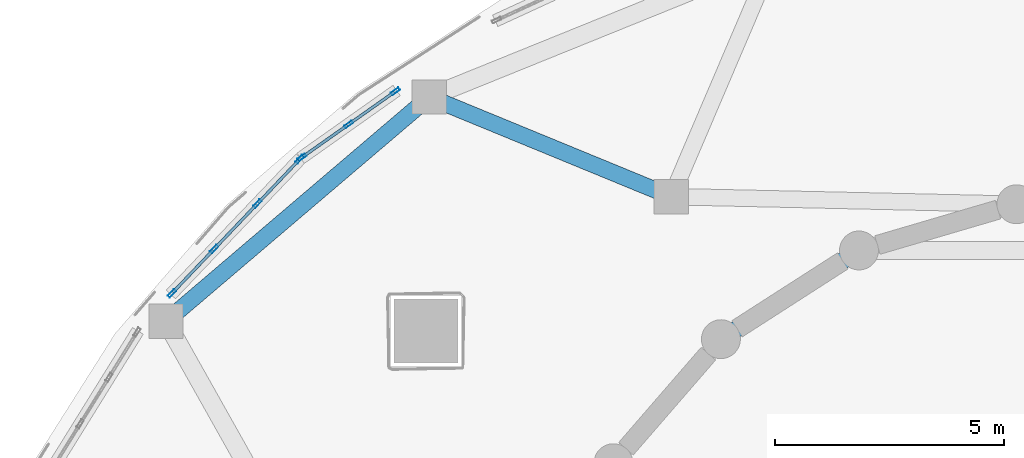
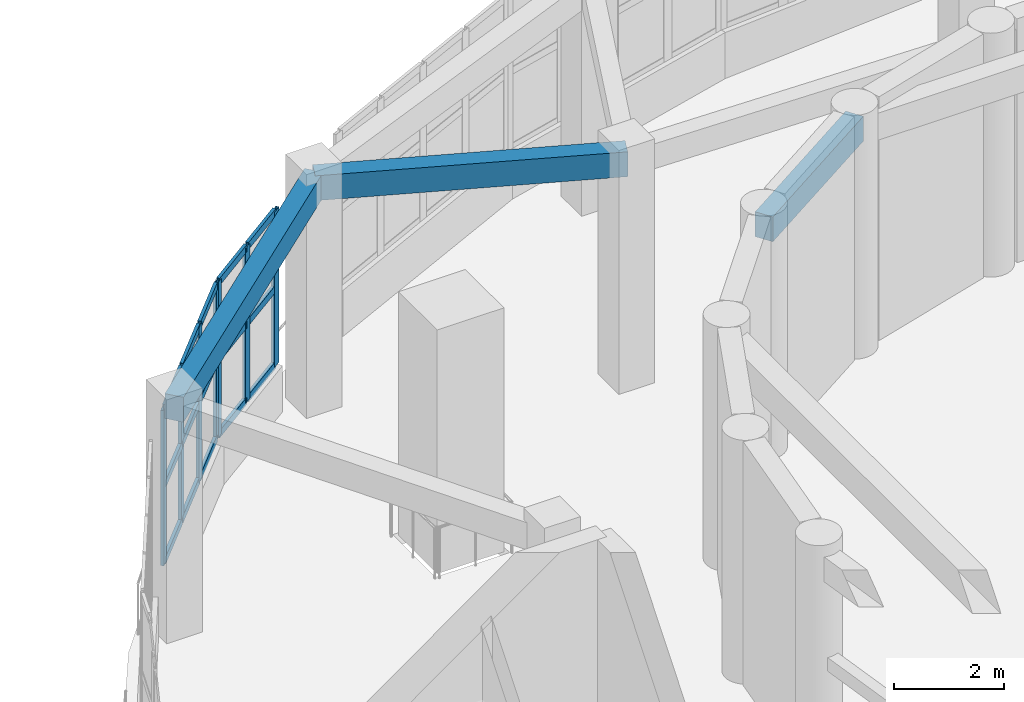
# One storey, part 44 of 96: 22 members, 3 beams, 2 elements without a shape of their own.
"""IFC4 building model written with IfcOpenShell, lengths in metres."""

import ifcopenshell
import ifcopenshell.guid

model = None  # the IFC model being written
_history = None  # IfcOwnerHistory: only IFC2X3 demands one
_inside = {}  # id of a spatial element -> (the spatial element, [elements in it])
_under = {}  # id of a project, library or spatial element -> (it, [spatial elements below it])
_declared = {}  # id of a project -> (the project, [libraries it declares])
_typed = {}  # id of a type object -> (the type object, [elements of that type])
_made_of = {}  # id of a material, layer set ... -> (it, [elements and type objects made of it])


def new_model(schema):
    """Start an empty IFC model of exactly this schema.

    Asked for "IFC4X3", IfcOpenShell would pick the latest addendum, in which some entities
    have other attributes; the version numbers below select the first issue.
    IFC2X3 requires an IfcOwnerHistory on every rooted entity: one is made here for all.
    """
    global model, _history
    if schema == "IFC4X3":
        model = ifcopenshell.file(schema_version=(4, 3, 0, 0))
    else:
        model = ifcopenshell.file(schema=schema)
    _inside.clear()
    _under.clear()
    _declared.clear()
    _typed.clear()
    _made_of.clear()
    _history = None
    if model.schema == "IFC2X3":
        org = make("IfcOrganization", Name="unknown")
        user = make(
            "IfcPersonAndOrganization",
            ThePerson=make("IfcPerson", FamilyName="unknown"),
            TheOrganization=org,
        )
        app = make(
            "IfcApplication",
            ApplicationDeveloper=org,
            Version="unknown",
            ApplicationFullName="unknown",
            ApplicationIdentifier="unknown",
        )
        _history = make(
            "IfcOwnerHistory",
            OwningUser=user,
            OwningApplication=app,
            ChangeAction="ADDED",
            CreationDate=0,
        )
    return model


def make(cls, **values):
    """One entity of the class cls with the attributes given. An attribute that is None is left unset."""
    return model.create_entity(
        cls, **{name: value for name, value in values.items() if value is not None}
    )


def rooted(cls, **values):
    """An entity with a GlobalId (a new one), such as an element, a storey or a relation."""
    return make(cls, GlobalId=ifcopenshell.guid.new(), OwnerHistory=_history, **values)


def si_unit(unit_type, name, prefix=None):
    """IfcSIUnit, for example si_unit("LENGTHUNIT", "METRE", prefix="MILLI")."""
    return make("IfcSIUnit", UnitType=unit_type, Prefix=prefix, Name=name)


def assignment(units):
    """IfcUnitAssignment: the units of a project."""
    return None if units is None else make("IfcUnitAssignment", Units=units)


def point(xyz):
    """IfcCartesianPoint."""
    return None if xyz is None else make("IfcCartesianPoint", Coordinates=xyz)


def direction(xyz):
    """IfcDirection."""
    return None if xyz is None else make("IfcDirection", DirectionRatios=xyz)


def frame(location, z_axis=None, x_axis=None):
    """IfcAxis2Placement3D, a coordinate frame: its origin and axes. An axis left out is left unset."""
    return make(
        "IfcAxis2Placement3D",
        Location=point(location),
        Axis=direction(z_axis),
        RefDirection=direction(x_axis),
    )


def frame_2d(location, x_axis=None):
    """IfcAxis2Placement2D, a coordinate frame in the plane: its origin and x axis."""
    return make(
        "IfcAxis2Placement2D", Location=point(location), RefDirection=direction(x_axis)
    )


def origin():
    """The frame at (0, 0, 0) with its axes left unset."""
    return frame((0.0, 0.0, 0.0))


def origin_2d():
    """The frame at (0, 0) in the plane with its x axis left unset."""
    return frame_2d((0.0, 0.0))


def place(relative_to, where):
    """IfcLocalPlacement: puts the frame where relative to a parent placement (None: the world)."""
    return make(
        "IfcLocalPlacement", PlacementRelTo=relative_to, RelativePlacement=where
    )


def context(
    kind, dimensions, precision=None, world=None, true_north=None, identifier=None
):
    """IfcGeometricRepresentationContext, for example the 3D "Model" context."""
    return make(
        "IfcGeometricRepresentationContext",
        ContextIdentifier=identifier,
        ContextType=kind,
        CoordinateSpaceDimension=dimensions,
        Precision=precision,
        WorldCoordinateSystem=world,
        TrueNorth=true_north,
    )


def subcontext(parent, identifier, kind, view, scale=None):
    """IfcGeometricRepresentationSubContext, for example "Body" below "Model"."""
    return make(
        "IfcGeometricRepresentationSubContext",
        ContextIdentifier=identifier,
        ContextType=kind,
        ParentContext=parent,
        TargetScale=scale,
        TargetView=view,
    )


def project(units=None, contexts=None):
    """IfcProject with its units and contexts."""
    return rooted(
        "IfcProject",
        Name="project",
        RepresentationContexts=contexts,
        UnitsInContext=assignment(units),
    )


def spatial(cls, under=None, at=None, **own):
    """A site, building, storey or space (cls), placed at a placement, below another one or the project."""
    s = rooted(cls, ObjectPlacement=at, **own)
    if under is not None:
        _under.setdefault(under.id(), (under, []))[1].append(s)
    return s


def profile(cls, at=None, kind="AREA", **sizes):
    """A parametric profile (cls). Its sizes go by their IFC names, for example OverallWidth=200.0."""
    return make(cls, ProfileType=kind, Position=at, **sizes)


def rectangle(**sizes):
    """IfcRectangleProfileDef."""
    return profile("IfcRectangleProfileDef", **sizes)


def hollow_rectangle(**sizes):
    """IfcRectangleHollowProfileDef."""
    return profile("IfcRectangleHollowProfileDef", **sizes)


def extrude(swept, where, along, depth):
    """IfcExtrudedAreaSolid: the profile swept, set in the frame where, extruded along a direction by depth."""
    return make(
        "IfcExtrudedAreaSolid",
        SweptArea=swept,
        Position=where,
        ExtrudedDirection=direction(along),
        Depth=depth,
    )


def shape(context_of_items, identifier, shape_type, items):
    """IfcShapeRepresentation: the items that make up one representation, for example the "Body"."""
    return make(
        "IfcShapeRepresentation",
        ContextOfItems=context_of_items,
        RepresentationIdentifier=identifier,
        RepresentationType=shape_type,
        Items=items,
    )


def material(Name=None, Category=None):
    """IfcMaterial."""
    return make("IfcMaterial", Name=Name, Category=Category)


def layer(
    of_material, thickness, ventilated=None, Name=None, Category=None, Priority=None
):
    """IfcMaterialLayer: one layer of a wall or slab, of a material (None: an air gap)."""
    return make(
        "IfcMaterialLayer",
        Material=of_material,
        LayerThickness=thickness,
        IsVentilated=ventilated,
        Name=Name,
        Category=Category,
        Priority=Priority,
    )


def layer_set(layers, Name=None):
    """IfcMaterialLayerSet."""
    return make("IfcMaterialLayerSet", MaterialLayers=layers, LayerSetName=Name)


def material_profile(
    of_material, cross_section, Name=None, Category=None, Priority=None
):
    """IfcMaterialProfile: a cross section and its material."""
    return make(
        "IfcMaterialProfile",
        Name=Name,
        Material=of_material,
        Profile=cross_section,
        Priority=Priority,
        Category=Category,
    )


def profile_set(profiles, Name=None, composite=None):
    """IfcMaterialProfileSet."""
    return make(
        "IfcMaterialProfileSet",
        Name=Name,
        MaterialProfiles=profiles,
        CompositeProfile=composite,
    )


def made_of(thing, what):
    """Note that an element or type object is made of a material, layer set ...; save() writes the relation."""
    if what is not None:
        _made_of.setdefault(what.id(), (what, []))[1].append(thing)
    return thing


def type_object(cls, material=None, **own):
    """A type object (cls), such as IfcWallType, which elements share."""
    return made_of(rooted(cls, **own), material)


def element(
    cls,
    number,
    at=None,
    inside=None,
    cuts=None,
    type_object=None,
    material=None,
    context=None,
    identifier="Body",
    shape_type=None,
    held_by="IfcProductDefinitionShape",
    body=None,
    shapes=None,
    **own,
):
    """One element of the class cls, such as IfcWall. Its Tag is "e" and its number.

    at: its placement. inside: the storey or other place that contains it. cuts: it is an
    opening in that element (IfcRelVoidsElement). A single representation is given by context,
    identifier, shape_type and body (its items); several are given by shapes. held_by: the class
    of the entity that holds the representations. save() writes the other relations.
    """
    e = rooted(cls, Tag="e%d" % number, ObjectPlacement=at, **own)
    if body is not None:
        shapes = [shape(context, identifier, shape_type, body)]
    if shapes is not None:
        e.Representation = make(held_by, Representations=shapes)
    if inside is not None:
        _inside.setdefault(inside.id(), (inside, []))[1].append(e)
    if cuts is not None:
        rooted(
            "IfcRelVoidsElement", RelatingBuildingElement=cuts, RelatedOpeningElement=e
        )
    if type_object is not None:
        _typed.setdefault(type_object.id(), (type_object, []))[1].append(e)
    return made_of(e, material)


def aggregate(whole, parts):
    """IfcRelAggregates: a whole, such as a stair, and the parts it consists of."""
    return rooted("IfcRelAggregates", RelatingObject=whole, RelatedObjects=parts)


def save(model, path):
    """Write the relations noted so far, then the file.

    IfcRelAggregates (storeys below a building ...), IfcRelContainedInSpatialStructure (elements
    in a storey), IfcRelDefinesByType, IfcRelAssociatesMaterial and IfcRelDeclares: one each for
    every whole, place, type object, material and project.
    """
    for whole, parts in _under.values():
        aggregate(whole, parts)
    for where, things in _inside.values():
        rooted(
            "IfcRelContainedInSpatialStructure",
            RelatedElements=things,
            RelatingStructure=where,
        )
    for kind, things in _typed.values():
        rooted("IfcRelDefinesByType", RelatedObjects=things, RelatingType=kind)
    for what, things in _made_of.values():
        rooted("IfcRelAssociatesMaterial", RelatedObjects=things, RelatingMaterial=what)
    for by, libraries in _declared.values():
        rooted("IfcRelDeclares", RelatingContext=by, RelatedDefinitions=libraries)
    model.write(path)


model = new_model("IFC4")

# Units and contexts
model_context = context("Model", 3, precision=1e-05, world=origin(), true_north=direction((0.0, 1.0)))
body_context = subcontext(model_context, "Body", "Model", "MODEL_VIEW")
ifc_project = project(units=[si_unit("LENGTHUNIT", "METRE"), si_unit("AREAUNIT", "SQUARE_METRE"), si_unit("VOLUMEUNIT", "CUBIC_METRE"), si_unit("PLANEANGLEUNIT", "RADIAN"), si_unit("MASSUNIT", "GRAM", prefix="KILO")], contexts=[model_context])

# Site, building, storey
site_placement = place(None, origin())
site = spatial("IfcSite", under=ifc_project, at=site_placement, CompositionType="ELEMENT")
building_placement = place(site_placement, origin())
building = spatial("IfcBuilding", under=site, at=building_placement, Name="Pelvatis Terrace Science Centre", CompositionType="ELEMENT")
storey_placement = place(building_placement, origin())
storey = spatial("IfcBuildingStorey", under=building, at=storey_placement, Name="L00", CompositionType="ELEMENT", Elevation=0.0)

# Beams
ifc_material_1 = material(Name="Concrete C35/45", Category="concrete")
ifc_material_profile_1 = material_profile(ifc_material_1, rectangle(XDim=0.360107421875, YDim=0.550048828125, at=origin_2d()), Name="RC-BM 360x550")
ifc_profile_set_1 = profile_set([ifc_material_profile_1], Name="Concrete C35/45")
beam_type = type_object("IfcBeamType", Name="BM-RC-360x550", PredefinedType="BEAM", material=ifc_profile_set_1)
beam_1_placement = place(storey_placement, frame((103.9658203125, 97.261474609375, 4.864990234375), z_axis=(-0.841253667692, -0.540640607607, 0.0), x_axis=(0.540640607607, -0.841253667692, 0.0)))
element("IfcBeam", 1, at=beam_1_placement, inside=storey, type_object=beam_type, Name="Beam BM-L00-2183", PredefinedType="BEAM", context=body_context, shape_type="SweptSolid", body=[
    extrude(rectangle(XDim=0.360107421875, YDim=0.550048828125, at=origin_2d()), origin(), (0.0, 0.0, 1.0), 3.58642578125),
])
beam_2_placement = place(storey_placement, frame((94.575927734375, 100.61376953125, 4.864990234375), z_axis=(-0.761281604666, -0.64842140495, 0.0), x_axis=(0.64842140495, -0.761281604666, 0.0)))
element("IfcBeam", 2, at=beam_2_placement, inside=storey, type_object=beam_type, Name="Beam BM-L00-2270", PredefinedType="BEAM", context=body_context, shape_type="SweptSolid", body=[
    extrude(rectangle(XDim=0.360107421875, YDim=0.550048828125, at=origin_2d()), origin(), (0.0, 0.0, 1.0), 7.560546875),
])
beam_3_placement = place(storey_placement, frame((94.575927734375, 100.61376953125, 4.864990234375), z_axis=(0.924857425054, -0.380314006214, 0.0), x_axis=(0.380314006214, 0.924857425054, 0.0)))
element("IfcBeam", 3, at=beam_3_placement, inside=storey, type_object=beam_type, Name="Beam BM-L00-2271", PredefinedType="BEAM", context=body_context, shape_type="SweptSolid", body=[
    extrude(rectangle(XDim=0.360107421875, YDim=0.550048828125, at=origin_2d()), origin(), (0.0, 0.0, 1.0), 5.720458984375),
])

# Curtain wall, members
ifc_material_2 = material(Name="Bronze-anodised aluminium and laminated glass", Category="aluminium")
ifc_layer = layer(ifc_material_2, 0.199951171875)
ifc_layer_set = layer_set([ifc_layer], Name="Bronze-anodised aluminium and laminated glass")
curtain_wall_type = type_object("IfcCurtainWallType", Name="CW-RIBBON-B", PredefinedType="NOTDEFINED", material=ifc_layer_set)
curtain_wall_1_placement = place(storey_placement, origin())
curtain_wall_1 = element("IfcCurtainWall", 4, at=curtain_wall_1_placement, inside=storey, type_object=curtain_wall_type, Name="Ribbon curtain wall CW-111 (L00)", PredefinedType="NOTDEFINED")
ifc_material_3 = material(Name="Bronze-anodised aluminium 6063-T6", Category="aluminium")
ifc_material_profile_2 = material_profile(ifc_material_3, hollow_rectangle(XDim=0.06494140625, YDim=0.199951171875, WallThickness=0.00439453125, at=origin_2d()), Name="ALU-MUL 65x200")
ifc_profile_set_2 = profile_set([ifc_material_profile_2], Name="Bronze-anodised aluminium 6063-T6")
member_type_1 = type_object("IfcMemberType", Name="CWM-65x200", PredefinedType="MULLION", material=ifc_profile_set_2)
member_1_placement = place(storey_placement, frame((93.83544921875, 100.739013671875, 1.02001953125), z_axis=(0.0, 0.0, 1.0), x_axis=(0.577054844288, -0.816705397731, 0.0)))
member_1 = element("IfcMember", 5, at=member_1_placement, type_object=member_type_1, Name="CW-111 mullion 1", PredefinedType="MULLION", context=body_context, shape_type="SweptSolid", body=[
    extrude(hollow_rectangle(XDim=0.06494140625, YDim=0.199951171875, WallThickness=0.00439453125, at=origin_2d()), origin(), (0.0, 0.0, 1.0), 3.43994140625),
])
member_2_placement = place(storey_placement, frame((92.813720703125, 100.01708984375, 1.02001953125), z_axis=(0.0, 0.0, 1.0), x_axis=(0.577054844288, -0.816705397731, 0.0)))
member_2 = element("IfcMember", 6, at=member_2_placement, type_object=member_type_1, Name="CW-111 mullion 2", PredefinedType="MULLION", context=body_context, shape_type="SweptSolid", body=[
    extrude(hollow_rectangle(XDim=0.06494140625, YDim=0.199951171875, WallThickness=0.00439453125, at=origin_2d()), origin(), (0.0, 0.0, 1.0), 3.43994140625),
])
member_3_placement = place(storey_placement, frame((91.792236328125, 99.29541015625, 1.02001953125), z_axis=(0.0, 0.0, 1.0), x_axis=(0.577054844288, -0.816705397731, 0.0)))
member_3 = element("IfcMember", 7, at=member_3_placement, type_object=member_type_1, Name="CW-111 mullion 3", PredefinedType="MULLION", context=body_context, shape_type="SweptSolid", body=[
    extrude(hollow_rectangle(XDim=0.06494140625, YDim=0.199951171875, WallThickness=0.00439453125, at=origin_2d()), origin(), (0.0, 0.0, 1.0), 3.43994140625),
])

curtain_wall_2_placement = place(storey_placement, origin())
curtain_wall_2 = element("IfcCurtainWall", 8, at=curtain_wall_2_placement, inside=storey, type_object=curtain_wall_type, Name="Ribbon curtain wall CW-112 (L00)", PredefinedType="NOTDEFINED")
member_4_placement = place(storey_placement, frame((91.7431640625, 99.253173828125, 1.02001953125), z_axis=(0.0, 0.0, 1.0), x_axis=(0.723838920524, -0.689968997227, 0.0)))
member_4 = element("IfcMember", 9, at=member_4_placement, type_object=member_type_1, Name="CW-112 mullion 1", PredefinedType="MULLION", context=body_context, shape_type="SweptSolid", body=[
    extrude(hollow_rectangle(XDim=0.06494140625, YDim=0.199951171875, WallThickness=0.00439453125, at=origin_2d()), origin(), (0.0, 0.0, 1.0), 3.43994140625),
])
member_5_placement = place(storey_placement, frame((90.81982421875, 98.2841796875, 1.02001953125), z_axis=(0.0, 0.0, 1.0), x_axis=(0.723838920524, -0.689968997227, 0.0)))
member_5 = element("IfcMember", 10, at=member_5_placement, type_object=member_type_1, Name="CW-112 mullion 2", PredefinedType="MULLION", context=body_context, shape_type="SweptSolid", body=[
    extrude(hollow_rectangle(XDim=0.06494140625, YDim=0.199951171875, WallThickness=0.00439453125, at=origin_2d()), origin(), (0.0, 0.0, 1.0), 3.43994140625),
])
member_6_placement = place(storey_placement, frame((89.873779296875, 97.2919921875, 1.02001953125), z_axis=(0.0, 0.0, 1.0), x_axis=(0.723838920524, -0.689968997227, 0.0)))
member_6 = element("IfcMember", 11, at=member_6_placement, type_object=member_type_1, Name="CW-112 mullion 3", PredefinedType="MULLION", context=body_context, shape_type="SweptSolid", body=[
    extrude(hollow_rectangle(XDim=0.06494140625, YDim=0.199951171875, WallThickness=0.00439453125, at=origin_2d()), origin(), (0.0, 0.0, 1.0), 3.43994140625),
])
member_7_placement = place(storey_placement, frame((88.950439453125, 96.3232421875, 1.02001953125), z_axis=(0.0, 0.0, 1.0), x_axis=(0.723838920524, -0.689968997227, 0.0)))
member_7 = element("IfcMember", 12, at=member_7_placement, type_object=member_type_1, Name="CW-112 mullion 4", PredefinedType="MULLION", context=body_context, shape_type="SweptSolid", body=[
    extrude(hollow_rectangle(XDim=0.06494140625, YDim=0.199951171875, WallThickness=0.00439453125, at=origin_2d()), origin(), (0.0, 0.0, 1.0), 3.43994140625),
])

# Member
ifc_material_4 = material(Name="Bronze-anodised aluminium 6063-T6", Category="aluminium")
ifc_material_profile_3 = material_profile(ifc_material_4, hollow_rectangle(XDim=0.06494140625, YDim=0.159912109375, WallThickness=0.00390625, at=origin_2d()), Name="ALU-TRN 65x160")
ifc_profile_set_3 = profile_set([ifc_material_profile_3], Name="Bronze-anodised aluminium 6063-T6")
member_type_2 = type_object("IfcMemberType", Name="CWT-65x160", PredefinedType="USERDEFINED", material=ifc_profile_set_3)
member_8_placement = place(storey_placement, frame((93.808837890625, 100.72021484375, 1.052490234375), z_axis=(-0.816699616569, -0.577063026277, 0.0), x_axis=(0.577063026277, -0.816699616569, 0.0)))
member_8 = element("IfcMember", 13, at=member_8_placement, type_object=member_type_2, Name="CW-111 transom 1.1", ObjectType="TRANSOM", PredefinedType="USERDEFINED", context=body_context, shape_type="SweptSolid", body=[
    extrude(hollow_rectangle(XDim=0.06494140625, YDim=0.159912109375, WallThickness=0.00390625, at=origin_2d()), origin(), (0.0, 0.0, 1.0), 1.185791015625),
])

member_9_placement = place(storey_placement, frame((93.808837890625, 100.72021484375, 2.739990234375), z_axis=(-0.816699616569, -0.577063026277, 0.0), x_axis=(0.577063026277, -0.816699616569, 0.0)))
member_9 = element("IfcMember", 14, at=member_9_placement, type_object=member_type_2, Name="CW-111 transom 1.2", ObjectType="TRANSOM", PredefinedType="USERDEFINED", context=body_context, shape_type="SweptSolid", body=[
    extrude(hollow_rectangle(XDim=0.06494140625, YDim=0.159912109375, WallThickness=0.00390625, at=origin_2d()), origin(), (0.0, 0.0, 1.0), 1.185791015625),
])

member_10_placement = place(storey_placement, frame((93.808837890625, 100.72021484375, 4.427490234375), z_axis=(-0.816699616569, -0.577063026277, 0.0), x_axis=(0.577063026277, -0.816699616569, 0.0)))
member_10 = element("IfcMember", 15, at=member_10_placement, type_object=member_type_2, Name="CW-111 transom 1.3", ObjectType="TRANSOM", PredefinedType="USERDEFINED", context=body_context, shape_type="SweptSolid", body=[
    extrude(hollow_rectangle(XDim=0.06494140625, YDim=0.159912109375, WallThickness=0.00390625, at=origin_2d()), origin(), (0.0, 0.0, 1.0), 1.185791015625),
])

member_11_placement = place(storey_placement, frame((92.787353515625, 99.998291015625, 1.052490234375), z_axis=(-0.816796642018, -0.576925684632, 0.0), x_axis=(0.576925684632, -0.816796642018, 0.0)))
member_11 = element("IfcMember", 16, at=member_11_placement, type_object=member_type_2, Name="CW-111 transom 2.1", ObjectType="TRANSOM", PredefinedType="USERDEFINED", context=body_context, shape_type="SweptSolid", body=[
    extrude(hollow_rectangle(XDim=0.06494140625, YDim=0.159912109375, WallThickness=0.00390625, at=origin_2d()), origin(), (0.0, 0.0, 1.0), 1.185791015625),
])

member_12_placement = place(storey_placement, frame((92.787353515625, 99.998291015625, 2.739990234375), z_axis=(-0.816796642018, -0.576925684632, 0.0), x_axis=(0.576925684632, -0.816796642018, 0.0)))
member_12 = element("IfcMember", 17, at=member_12_placement, type_object=member_type_2, Name="CW-111 transom 2.2", ObjectType="TRANSOM", PredefinedType="USERDEFINED", context=body_context, shape_type="SweptSolid", body=[
    extrude(hollow_rectangle(XDim=0.06494140625, YDim=0.159912109375, WallThickness=0.00390625, at=origin_2d()), origin(), (0.0, 0.0, 1.0), 1.185791015625),
])

member_13_placement = place(storey_placement, frame((92.787353515625, 99.998291015625, 4.427490234375), z_axis=(-0.816796642018, -0.576925684632, 0.0), x_axis=(0.576925684632, -0.816796642018, 0.0)))
member_13 = element("IfcMember", 18, at=member_13_placement, type_object=member_type_2, Name="CW-111 transom 2.3", ObjectType="TRANSOM", PredefinedType="USERDEFINED", context=body_context, shape_type="SweptSolid", body=[
    extrude(hollow_rectangle(XDim=0.06494140625, YDim=0.159912109375, WallThickness=0.00390625, at=origin_2d()), origin(), (0.0, 0.0, 1.0), 1.185791015625),
])

aggregate(curtain_wall_1, [member_1, member_2, member_3, member_8, member_9, member_10, member_11, member_12, member_13])

member_14_placement = place(storey_placement, frame((91.720947265625, 99.2294921875, 1.052490234375), z_axis=(-0.690033293208, -0.723777627635, 0.0), x_axis=(0.723777627635, -0.690033293208, 0.0)))
member_14 = element("IfcMember", 19, at=member_14_placement, type_object=member_type_2, Name="CW-112 transom 1.1", ObjectType="TRANSOM", PredefinedType="USERDEFINED", context=body_context, shape_type="SweptSolid", body=[
    extrude(hollow_rectangle(XDim=0.06494140625, YDim=0.159912109375, WallThickness=0.00390625, at=origin_2d()), origin(), (0.0, 0.0, 1.0), 1.2734375),
])

member_15_placement = place(storey_placement, frame((91.720947265625, 99.2294921875, 2.739990234375), z_axis=(-0.690033293208, -0.723777627635, 0.0), x_axis=(0.723777627635, -0.690033293208, 0.0)))
member_15 = element("IfcMember", 20, at=member_15_placement, type_object=member_type_2, Name="CW-112 transom 1.2", ObjectType="TRANSOM", PredefinedType="USERDEFINED", context=body_context, shape_type="SweptSolid", body=[
    extrude(hollow_rectangle(XDim=0.06494140625, YDim=0.159912109375, WallThickness=0.00390625, at=origin_2d()), origin(), (0.0, 0.0, 1.0), 1.2734375),
])

member_16_placement = place(storey_placement, frame((91.720947265625, 99.2294921875, 4.427490234375), z_axis=(-0.690033293208, -0.723777627635, 0.0), x_axis=(0.723777627635, -0.690033293208, 0.0)))
member_16 = element("IfcMember", 21, at=member_16_placement, type_object=member_type_2, Name="CW-112 transom 1.3", ObjectType="TRANSOM", PredefinedType="USERDEFINED", context=body_context, shape_type="SweptSolid", body=[
    extrude(hollow_rectangle(XDim=0.06494140625, YDim=0.159912109375, WallThickness=0.00390625, at=origin_2d()), origin(), (0.0, 0.0, 1.0), 1.2734375),
])

member_17_placement = place(storey_placement, frame((90.79736328125, 98.2607421875, 1.052490234375), z_axis=(-0.689986519799, -0.723822217465, 0.0), x_axis=(0.723822217465, -0.689986519799, 0.0)))
member_17 = element("IfcMember", 22, at=member_17_placement, type_object=member_type_2, Name="CW-112 transom 2.1", ObjectType="TRANSOM", PredefinedType="USERDEFINED", context=body_context, shape_type="SweptSolid", body=[
    extrude(hollow_rectangle(XDim=0.06494140625, YDim=0.159912109375, WallThickness=0.00390625, at=origin_2d()), origin(), (0.0, 0.0, 1.0), 1.305908203125),
])

member_18_placement = place(storey_placement, frame((90.79736328125, 98.2607421875, 2.739990234375), z_axis=(-0.689986519799, -0.723822217465, 0.0), x_axis=(0.723822217465, -0.689986519799, 0.0)))
member_18 = element("IfcMember", 23, at=member_18_placement, type_object=member_type_2, Name="CW-112 transom 2.2", ObjectType="TRANSOM", PredefinedType="USERDEFINED", context=body_context, shape_type="SweptSolid", body=[
    extrude(hollow_rectangle(XDim=0.06494140625, YDim=0.159912109375, WallThickness=0.00390625, at=origin_2d()), origin(), (0.0, 0.0, 1.0), 1.305908203125),
])

member_19_placement = place(storey_placement, frame((90.79736328125, 98.2607421875, 4.427490234375), z_axis=(-0.689986519799, -0.723822217465, 0.0), x_axis=(0.723822217465, -0.689986519799, 0.0)))
member_19 = element("IfcMember", 24, at=member_19_placement, type_object=member_type_2, Name="CW-112 transom 2.3", ObjectType="TRANSOM", PredefinedType="USERDEFINED", context=body_context, shape_type="SweptSolid", body=[
    extrude(hollow_rectangle(XDim=0.06494140625, YDim=0.159912109375, WallThickness=0.00390625, at=origin_2d()), origin(), (0.0, 0.0, 1.0), 1.305908203125),
])

member_20_placement = place(storey_placement, frame((89.8515625, 97.268310546875, 1.052490234375), z_axis=(-0.690033293208, -0.723777627635, 0.0), x_axis=(0.723777627635, -0.690033293208, 0.0)))
member_20 = element("IfcMember", 25, at=member_20_placement, type_object=member_type_2, Name="CW-112 transom 3.1", ObjectType="TRANSOM", PredefinedType="USERDEFINED", context=body_context, shape_type="SweptSolid", body=[
    extrude(hollow_rectangle(XDim=0.06494140625, YDim=0.159912109375, WallThickness=0.00390625, at=origin_2d()), origin(), (0.0, 0.0, 1.0), 1.2734375),
])

member_21_placement = place(storey_placement, frame((89.8515625, 97.268310546875, 2.739990234375), z_axis=(-0.690033293208, -0.723777627635, 0.0), x_axis=(0.723777627635, -0.690033293208, 0.0)))
member_21 = element("IfcMember", 26, at=member_21_placement, type_object=member_type_2, Name="CW-112 transom 3.2", ObjectType="TRANSOM", PredefinedType="USERDEFINED", context=body_context, shape_type="SweptSolid", body=[
    extrude(hollow_rectangle(XDim=0.06494140625, YDim=0.159912109375, WallThickness=0.00390625, at=origin_2d()), origin(), (0.0, 0.0, 1.0), 1.2734375),
])

member_22_placement = place(storey_placement, frame((89.8515625, 97.268310546875, 4.427490234375), z_axis=(-0.690033293208, -0.723777627635, 0.0), x_axis=(0.723777627635, -0.690033293208, 0.0)))
member_22 = element("IfcMember", 27, at=member_22_placement, type_object=member_type_2, Name="CW-112 transom 3.3", ObjectType="TRANSOM", PredefinedType="USERDEFINED", context=body_context, shape_type="SweptSolid", body=[
    extrude(hollow_rectangle(XDim=0.06494140625, YDim=0.159912109375, WallThickness=0.00390625, at=origin_2d()), origin(), (0.0, 0.0, 1.0), 1.2734375),
])

aggregate(curtain_wall_2, [member_4, member_5, member_6, member_7, member_14, member_15, member_16, member_17, member_18, member_19, member_20, member_21, member_22])

save(model, "model.ifc")
